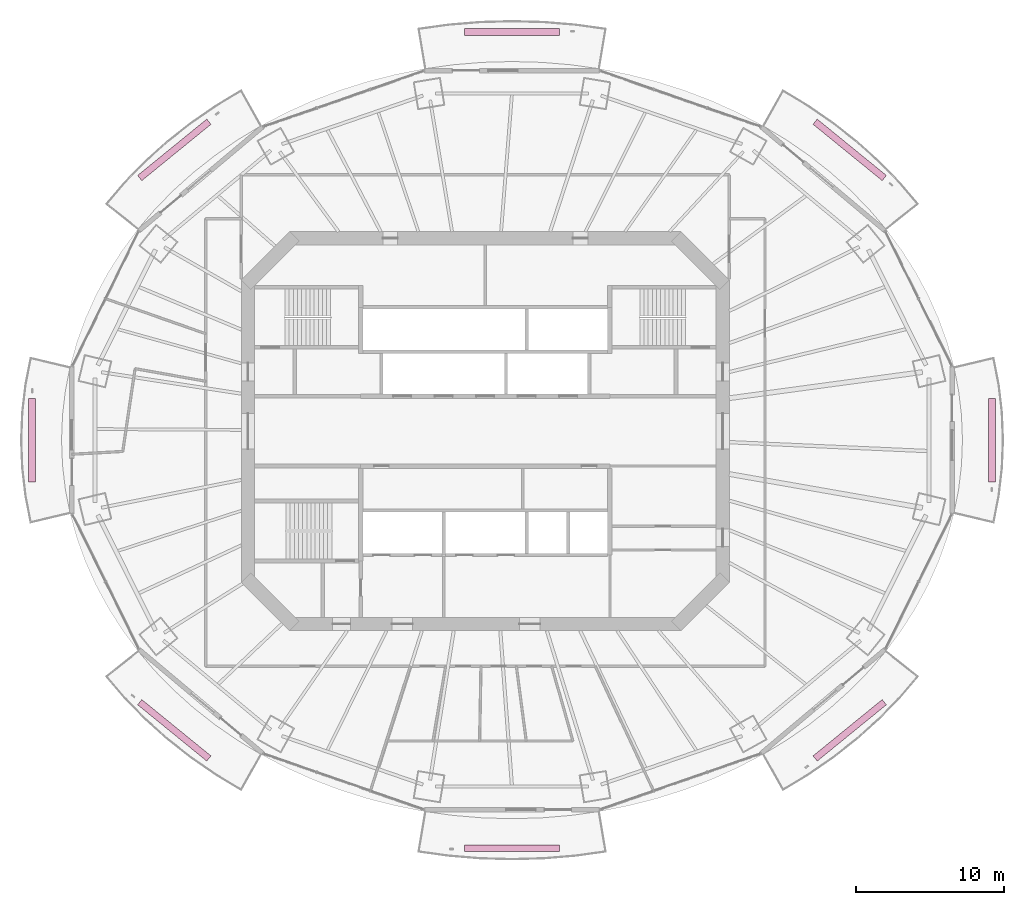
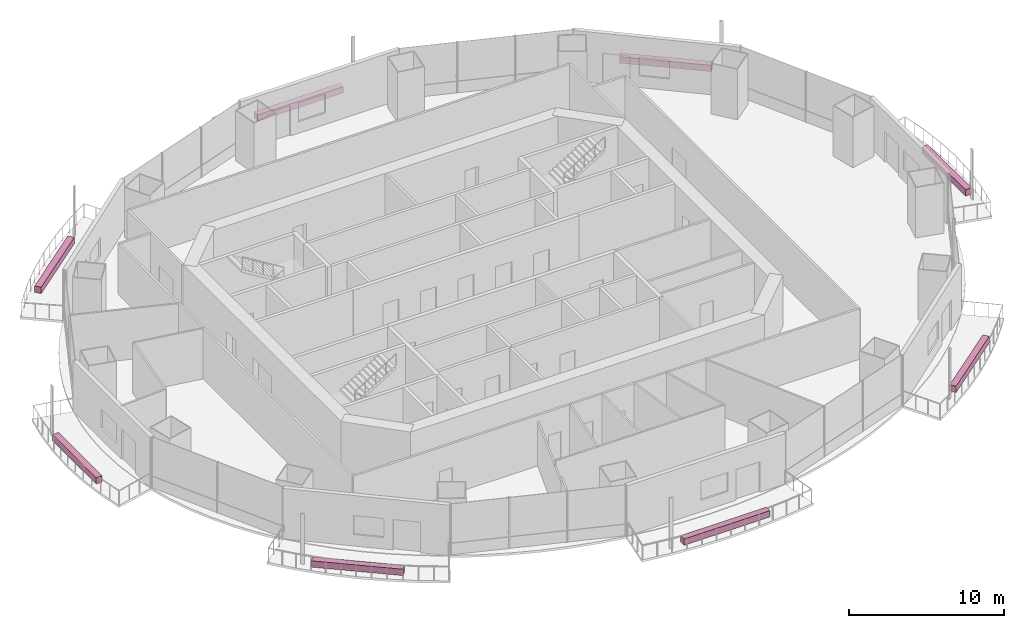
# One storey, part 19 of 19: 8 furnishings.
"""IFC4 building model written with IfcOpenShell, lengths in metres."""

from ifc_helpers import new_model, si_unit, direction, frame, origin, origin_2d, place, context, subcontext, project, spatial, rectangle, extrude, material, type_object, element, save


model = new_model("IFC4")

# Units and contexts
model_context = context("Model", 3, precision=1e-05, world=origin(), true_north=direction((0.0, 1.0)))
body_context = subcontext(model_context, "Body", "Model", "MODEL_VIEW")
ifc_project = project(units=[si_unit("LENGTHUNIT", "METRE"), si_unit("AREAUNIT", "SQUARE_METRE"), si_unit("VOLUMEUNIT", "CUBIC_METRE"), si_unit("PLANEANGLEUNIT", "RADIAN"), si_unit("MASSUNIT", "GRAM", prefix="KILO")], contexts=[model_context])

# Site, building, storey
site_placement = place(None, origin())
site = spatial("IfcSite", under=ifc_project, at=site_placement, CompositionType="ELEMENT")
building_placement = place(site_placement, origin())
building = spatial("IfcBuilding", under=site, at=building_placement, Name="Marenthal Gate Tower", CompositionType="ELEMENT")
storey_placement = place(building_placement, frame((0.0, 0.0, 239.89990234375)))
storey = spatial("IfcBuildingStorey", under=building, at=storey_placement, Name="L53", CompositionType="ELEMENT", Elevation=239.89990234375)

# Furnishings
ifc_material = material(Name="Planting soil and foliage", Category="planting")
furnishing_element_type = type_object("IfcFurnishingElementType", Name="Balcony PLANTER trough", material=ifc_material)
furnishing_1_placement = place(storey_placement, frame((24.564453125, 18.964111328125, -0.039794921875), z_axis=(0.0, 0.0, 1.0), x_axis=(-0.775469286541, 0.631385290953, 0.0)))
element("IfcFurnishingElement", 1, at=furnishing_1_placement, inside=storey, type_object=furnishing_element_type, Name="Balcony PLANTER L53 bay 2", ObjectType="PLANTER", context=body_context, shape_type="SweptSolid", body=[
    extrude(rectangle(XDim=6.0107421875, YDim=0.449951171875, at=origin_2d()), origin(), (0.0, 0.0, 1.0), 0.5),
])
furnishing_2_placement = place(storey_placement, frame((1.800048828125, 26.9140625, -0.039794921875), z_axis=(0.0, 0.0, 1.0), x_axis=(-1.0, 0.0, 0.0)))
element("IfcFurnishingElement", 2, at=furnishing_2_placement, inside=storey, type_object=furnishing_element_type, Name="Balcony PLANTER L53 bay 4", ObjectType="PLANTER", context=body_context, shape_type="SweptSolid", body=[
    extrude(rectangle(XDim=6.385498046875, YDim=0.449951171875, at=origin_2d()), origin(), (0.0, 0.0, 1.0), 0.5),
])
furnishing_3_placement = place(storey_placement, frame((-20.964599609375, 18.964111328125, -0.039794921875), z_axis=(0.0, 0.0, 1.0), x_axis=(-0.775469286541, -0.631385290953, 0.0)))
element("IfcFurnishingElement", 3, at=furnishing_3_placement, inside=storey, type_object=furnishing_element_type, Name="Balcony PLANTER L53 bay 6", ObjectType="PLANTER", context=body_context, shape_type="SweptSolid", body=[
    extrude(rectangle(XDim=6.0107421875, YDim=0.449951171875, at=origin_2d()), origin(), (0.0, 0.0, 1.0), 0.5),
])
furnishing_4_placement = place(storey_placement, frame((-30.56005859375, -0.60009765625, -0.039794921875), z_axis=(0.0, 0.0, 1.0), x_axis=(0.0, -1.0, 0.0)))
element("IfcFurnishingElement", 4, at=furnishing_4_placement, inside=storey, type_object=furnishing_element_type, Name="Balcony PLANTER L53 bay 8", ObjectType="PLANTER", context=body_context, shape_type="SweptSolid", body=[
    extrude(rectangle(XDim=5.623291015625, YDim=0.449951171875, at=origin_2d()), origin(), (0.0, 0.0, 1.0), 0.5),
])
furnishing_5_placement = place(storey_placement, frame((-20.964599609375, -20.1640625, -0.039794921875), z_axis=(0.0, 0.0, 1.0), x_axis=(0.775469286541, -0.631385290953, 0.0)))
element("IfcFurnishingElement", 5, at=furnishing_5_placement, inside=storey, type_object=furnishing_element_type, Name="Balcony PLANTER L53 bay 10", ObjectType="PLANTER", context=body_context, shape_type="SweptSolid", body=[
    extrude(rectangle(XDim=6.0107421875, YDim=0.449951171875, at=origin_2d()), origin(), (0.0, 0.0, 1.0), 0.5),
])
furnishing_6_placement = place(storey_placement, frame((1.800048828125, -28.114013671875, -0.039794921875), z_axis=(0.0, 0.0, 1.0), x_axis=(1.0, 0.0, 0.0)))
element("IfcFurnishingElement", 6, at=furnishing_6_placement, inside=storey, type_object=furnishing_element_type, Name="Balcony PLANTER L53 bay 12", ObjectType="PLANTER", context=body_context, shape_type="SweptSolid", body=[
    extrude(rectangle(XDim=6.385498046875, YDim=0.449951171875, at=origin_2d()), origin(), (0.0, 0.0, 1.0), 0.5),
])
furnishing_7_placement = place(storey_placement, frame((24.564453125, -20.1640625, -0.039794921875), z_axis=(0.0, 0.0, 1.0), x_axis=(0.775469286541, 0.631385290953, 0.0)))
element("IfcFurnishingElement", 7, at=furnishing_7_placement, inside=storey, type_object=furnishing_element_type, Name="Balcony PLANTER L53 bay 14", ObjectType="PLANTER", context=body_context, shape_type="SweptSolid", body=[
    extrude(rectangle(XDim=6.0107421875, YDim=0.449951171875, at=origin_2d()), origin(), (0.0, 0.0, 1.0), 0.5),
])
furnishing_8_placement = place(storey_placement, frame((34.159912109375, -0.60009765625, -0.039794921875), z_axis=(0.0, 0.0, 1.0), x_axis=(0.0, 1.0, 0.0)))
element("IfcFurnishingElement", 8, at=furnishing_8_placement, inside=storey, type_object=furnishing_element_type, Name="Balcony PLANTER L53 bay 16", ObjectType="PLANTER", context=body_context, shape_type="SweptSolid", body=[
    extrude(rectangle(XDim=5.623291015625, YDim=0.449951171875, at=origin_2d()), origin(), (0.0, 0.0, 1.0), 0.5),
])

save(model, "model.ifc")
